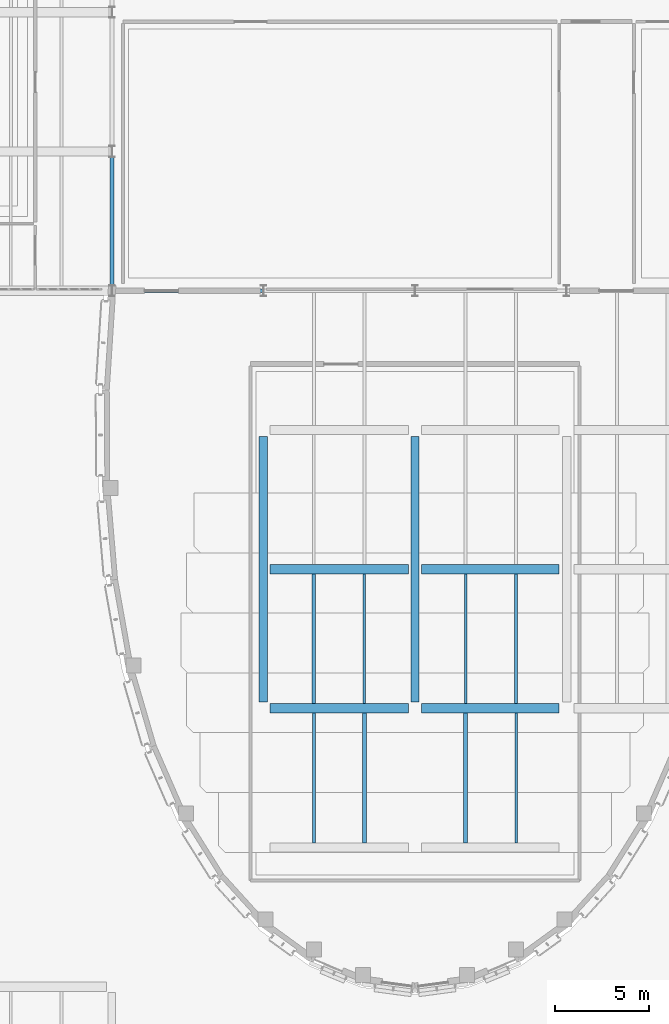
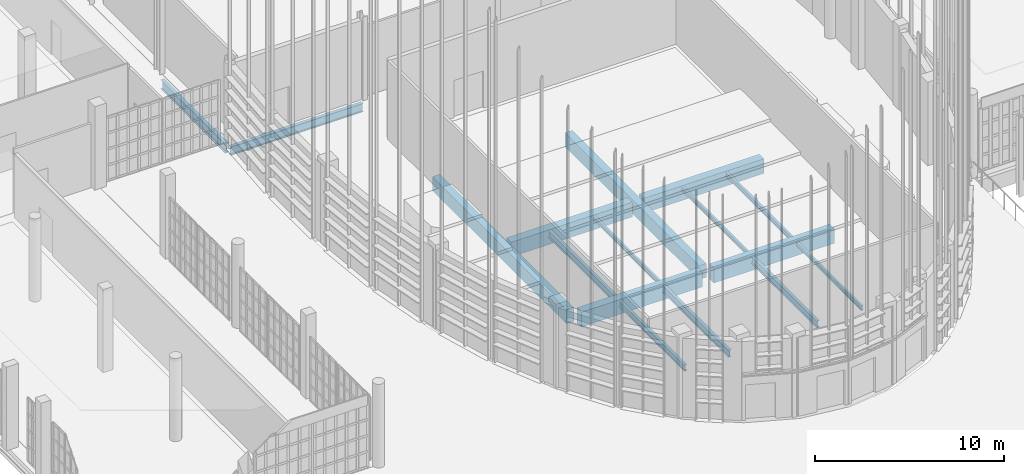
# One storey, part 100 of 372: 16 beams.
"""IFC4 building model written with IfcOpenShell, lengths in metres."""

from ifc_helpers import new_model, si_unit, direction, frame, origin, origin_2d, place, context, subcontext, project, spatial, rectangle, i_section, extrude, material, material_profile, profile_set, type_object, element, save


model = new_model("IFC4")

# Units and contexts
model_context = context("Model", 3, precision=1e-05, world=origin(), true_north=direction((0.0, 1.0)))
body_context = subcontext(model_context, "Body", "Model", "MODEL_VIEW")
ifc_project = project(units=[si_unit("LENGTHUNIT", "METRE"), si_unit("AREAUNIT", "SQUARE_METRE"), si_unit("VOLUMEUNIT", "CUBIC_METRE"), si_unit("PLANEANGLEUNIT", "RADIAN"), si_unit("MASSUNIT", "GRAM", prefix="KILO")], contexts=[model_context])

# Site, building, storey
site_placement = place(None, origin())
site = spatial("IfcSite", under=ifc_project, at=site_placement, CompositionType="ELEMENT")
building_placement = place(site_placement, origin())
building = spatial("IfcBuilding", under=site, at=building_placement, Name="Kaelora Sail Theatre", CompositionType="ELEMENT")
storey_placement = place(building_placement, origin())
storey = spatial("IfcBuildingStorey", under=building, at=storey_placement, Name="L00", CompositionType="ELEMENT", Elevation=0.0)

# Beams
ifc_material_1 = material(Name="Steel S355", Category="steel")
ifc_material_profile_1 = material_profile(ifc_material_1, i_section(OverallWidth=0.18994140625, OverallDepth=0.449951171875, WebThickness=0.009521484375, FlangeThickness=0.0146484375, FilletRadius=0.02099609375, at=origin_2d()), Name="IPE 450")
ifc_profile_set_1 = profile_set([ifc_material_profile_1], Name="Steel S355")
beam_type_1 = type_object("IfcBeamType", Name="STR-BM-BM-IPE450", PredefinedType="BEAM", material=ifc_profile_set_1)
for number, where, z_axis, x_axis, name in (
    (1, (39.300048828125, 31.510009765625, -0.544921875), (0.0, 1.0, 0.0), (-1.0, 0.0, 0.0), "Secondary floor joist 5/E-2 (L00)"),
    (2, (36.60009765625, 38.949951171875, -0.544921875), (0.0, 1.0, 0.0), (-1.0, 0.0, 0.0), "Secondary floor joist 5/F-1 (L00)"),
    (3, (44.699951171875, 31.510009765625, -0.544921875), (0.0, 1.0, 0.0), (-1.0, 0.0, 0.0), "Secondary floor joist 6/E-1 (L00)"),
):
    element("IfcBeam", number, at=place(storey_placement, frame(where, z_axis=z_axis, x_axis=x_axis)), inside=storey, type_object=beam_type_1, Name=name, PredefinedType="BEAM", context=body_context, shape_type="SweptSolid", body=[
        extrude(i_section(OverallWidth=0.18994140625, OverallDepth=0.449951171875, WebThickness=0.009521484375, FlangeThickness=0.0146484375, FilletRadius=0.02099609375, at=origin_2d()), origin(), (0.0, 0.0, 1.0), 6.93994140625),
    ])
ifc_material_2 = material(Name="Steel S355", Category="steel")
ifc_material_profile_2 = material_profile(ifc_material_2, i_section(OverallWidth=0.2099609375, OverallDepth=0.550048828125, WebThickness=0.010986328125, FlangeThickness=0.01708984375, FilletRadius=0.02392578125, at=origin_2d()), Name="IPE 550")
ifc_profile_set_2 = profile_set([ifc_material_profile_2], Name="Steel S355")
beam_type_2 = type_object("IfcBeamType", Name="STR-BM-BM-IPE550", PredefinedType="USERDEFINED", material=ifc_profile_set_2)
beam_1_placement = place(storey_placement, frame((25.80908203125, 61.02001953125, -0.594970703125), z_axis=(1.0, 0.0, 0.0), x_axis=(0.0, 1.0, 0.0)))
element("IfcBeam", 4, at=beam_1_placement, inside=storey, type_object=beam_type_2, Name="Primary beam I 4-5 (L00)", ObjectType="GIRDER", PredefinedType="USERDEFINED", context=body_context, shape_type="SweptSolid", body=[
    extrude(i_section(OverallWidth=0.2099609375, OverallDepth=0.550048828125, WebThickness=0.010986328125, FlangeThickness=0.01708984375, FilletRadius=0.02392578125, at=origin_2d()), origin(), (0.0, 0.0, 1.0), 8.08203125),
])
ifc_material_3 = material(Name="Steel S355", Category="steel")
ifc_material_profile_3 = material_profile(ifc_material_3, i_section(OverallWidth=0.219970703125, OverallDepth=0.60009765625, WebThickness=0.011962890625, FlangeThickness=0.01904296875, FilletRadius=0.02392578125, at=origin_2d()), Name="IPE 600")
ifc_profile_set_3 = profile_set([ifc_material_profile_3], Name="Steel S355")
beam_type_3 = type_object("IfcBeamType", Name="STR-BM-BM-IPE600", PredefinedType="USERDEFINED", material=ifc_profile_set_3)
beam_2_placement = place(storey_placement, frame((25.800048828125, 61.320068359375, -0.6201171875), z_axis=(0.0, 1.0, 0.0), x_axis=(-1.0, 0.0, 0.0)))
element("IfcBeam", 5, at=beam_2_placement, inside=storey, type_object=beam_type_3, Name="Primary beam 4 I-J (L00)", ObjectType="GIRDER", PredefinedType="USERDEFINED", context=body_context, shape_type="SweptSolid", body=[
    extrude(i_section(OverallWidth=0.219970703125, OverallDepth=0.60009765625, WebThickness=0.011962890625, FlangeThickness=0.01904296875, FilletRadius=0.02392578125, at=origin_2d()), origin(), (0.0, 0.0, 1.0), 6.83984375),
])
ifc_material_4 = material(Name="Concrete C45/55", Category="concrete")
ifc_material_profile_4 = material_profile(ifc_material_4, rectangle(XDim=0.5, YDim=0.949951171875, at=origin_2d()), Name="RC-GRD 500x950")
ifc_profile_set_4 = profile_set([ifc_material_profile_4], Name="Concrete C45/55")
beam_type_4 = type_object("IfcBeamType", Name="STR-BM-GR-RC5095", PredefinedType="T_BEAM", material=ifc_profile_set_4)
for number, where, z_axis, x_axis, name in (
    (6, (34.25, 38.699951171875, -0.794921875), (1.0, 0.0, 0.0), (0.0, 1.0, 0.0), "Primary beam F 5-6 (L00)"),
    (7, (34.25, 46.139892578125, -0.794921875), (1.0, 0.0, 0.0), (0.0, 1.0, 0.0), "Primary beam G 5-6 (L00)"),
):
    element("IfcBeam", number, at=place(storey_placement, frame(where, z_axis=z_axis, x_axis=x_axis)), inside=storey, type_object=beam_type_4, Name=name, PredefinedType="T_BEAM", context=body_context, shape_type="SweptSolid", body=[
        extrude(rectangle(XDim=0.5, YDim=0.949951171875, at=origin_2d()), origin(), (0.0, 0.0, 1.0), 7.39990234375),
    ])
for number, where, z_axis, x_axis, name in (
    (8, (42.35009765625, 38.699951171875, -0.794921875), (1.0, 0.0, 0.0), (0.0, 1.0, 0.0), "Primary beam F 6-7 (L00)"),
    (9, (42.35009765625, 46.139892578125, -0.794921875), (1.0, 0.0, 0.0), (0.0, 1.0, 0.0), "Primary beam G 6-7 (L00)"),
):
    element("IfcBeam", number, at=place(storey_placement, frame(where, z_axis=z_axis, x_axis=x_axis)), inside=storey, type_object=beam_type_4, Name=name, PredefinedType="T_BEAM", context=body_context, shape_type="SweptSolid", body=[
        extrude(rectangle(XDim=0.5, YDim=0.949951171875, at=origin_2d()), origin(), (0.0, 0.0, 1.0), 7.349853515625),
    ])
ifc_material_5 = material(Name="Steel S355", Category="steel")
ifc_material_profile_5 = material_profile(ifc_material_5, i_section(OverallWidth=0.135009765625, OverallDepth=0.27001953125, WebThickness=0.006591796875, FlangeThickness=0.01025390625, FilletRadius=0.014892578125, at=origin_2d()), Name="IPE 270")
ifc_profile_set_5 = profile_set([ifc_material_profile_5], Name="Steel S355")
beam_type_5 = type_object("IfcBeamType", Name="STR-BM-JS-IPE270", PredefinedType="JOIST", material=ifc_profile_set_5)
for number, where, z_axis, x_axis, name in (
    (10, (39.300048828125, 38.949951171875, -0.455078125), (0.0, 1.0, 0.0), (-1.0, 0.0, 0.0), "Secondary floor joist 5/F-2 (L00)"),
    (11, (47.39990234375, 31.510009765625, -0.455078125), (0.0, 1.0, 0.0), (-1.0, 0.0, 0.0), "Secondary floor joist 6/E-2 (L00)"),
    (12, (44.699951171875, 38.949951171875, -0.455078125), (0.0, 1.0, 0.0), (-1.0, 0.0, 0.0), "Secondary floor joist 6/F-1 (L00)"),
):
    element("IfcBeam", number, at=place(storey_placement, frame(where, z_axis=z_axis, x_axis=x_axis)), inside=storey, type_object=beam_type_5, Name=name, PredefinedType="JOIST", context=body_context, shape_type="SweptSolid", body=[
        extrude(i_section(OverallWidth=0.135009765625, OverallDepth=0.27001953125, WebThickness=0.006591796875, FlangeThickness=0.01025390625, FilletRadius=0.014892578125, at=origin_2d()), origin(), (0.0, 0.0, 1.0), 6.93994140625),
    ])
ifc_material_6 = material(Name="Steel S355", Category="steel")
ifc_material_profile_6 = material_profile(ifc_material_6, i_section(OverallWidth=0.14990234375, OverallDepth=0.300048828125, WebThickness=0.007080078125, FlangeThickness=0.0107421875, FilletRadius=0.014892578125, at=origin_2d()), Name="IPE 300")
ifc_profile_set_6 = profile_set([ifc_material_profile_6], Name="Steel S355")
beam_type_6 = type_object("IfcBeamType", Name="STR-BM-JS-IPE300", PredefinedType="JOIST", material=ifc_profile_set_6)
beam_3_placement = place(storey_placement, frame((47.39990234375, 38.949951171875, -0.469970703125), z_axis=(0.0, 1.0, 0.0), x_axis=(-1.0, 0.0, 0.0)))
element("IfcBeam", 13, at=beam_3_placement, inside=storey, type_object=beam_type_6, Name="Secondary floor joist 6/F-2 (L00)", PredefinedType="JOIST", context=body_context, shape_type="SweptSolid", body=[
    extrude(i_section(OverallWidth=0.14990234375, OverallDepth=0.300048828125, WebThickness=0.007080078125, FlangeThickness=0.0107421875, FilletRadius=0.014892578125, at=origin_2d()), origin(), (0.0, 0.0, 1.0), 6.93994140625),
])
ifc_material_7 = material(Name="Steel S355", Category="steel")
ifc_material_profile_7 = material_profile(ifc_material_7, i_section(OverallWidth=0.179931640625, OverallDepth=0.39990234375, WebThickness=0.008544921875, FlangeThickness=0.013427734375, FilletRadius=0.02099609375, at=origin_2d()), Name="IPE 400")
ifc_profile_set_7 = profile_set([ifc_material_profile_7], Name="Steel S355")
beam_type_7 = type_object("IfcBeamType", Name="STR-BM-JS-IPE400", PredefinedType="JOIST", material=ifc_profile_set_7)
beam_4_placement = place(storey_placement, frame((36.60009765625, 31.510009765625, -0.52001953125), z_axis=(0.0, 1.0, 0.0), x_axis=(-1.0, 0.0, 0.0)))
element("IfcBeam", 14, at=beam_4_placement, inside=storey, type_object=beam_type_7, Name="Secondary floor joist 5/E-1 (L00)", PredefinedType="JOIST", context=body_context, shape_type="SweptSolid", body=[
    extrude(i_section(OverallWidth=0.179931640625, OverallDepth=0.39990234375, WebThickness=0.008544921875, FlangeThickness=0.013427734375, FilletRadius=0.02099609375, at=origin_2d()), origin(), (0.0, 0.0, 1.0), 6.93994140625),
])
ifc_material_8 = material(Name="Concrete C45/55", Category="concrete")
ifc_material_profile_8 = material_profile(ifc_material_8, rectangle(XDim=0.449951171875, YDim=0.89990234375, at=origin_2d()), Name="RC-RAK 450x900")
ifc_profile_set_8 = profile_set([ifc_material_profile_8], Name="Concrete C45/55")
beam_type_8 = type_object("IfcBeamType", Name="STR-BM-RK-RC4590", PredefinedType="BEAM", material=ifc_profile_set_8)
for number, where, z_axis, x_axis, name in (
    (15, (33.89990234375, 39.050048828125, -0.77001953125), (0.0, 1.0, 0.0), (-1.0, 0.0, 0.0), "Main auditorium understage spine raker 1"),
    (16, (42.0, 39.050048828125, -0.77001953125), (0.0, 1.0, 0.0), (-1.0, 0.0, 0.0), "Main auditorium understage spine raker 2"),
):
    element("IfcBeam", number, at=place(storey_placement, frame(where, z_axis=z_axis, x_axis=x_axis)), inside=storey, type_object=beam_type_8, Name=name, PredefinedType="BEAM", context=body_context, shape_type="SweptSolid", body=[
        extrude(rectangle(XDim=0.449951171875, YDim=0.89990234375, at=origin_2d()), origin(), (0.0, 0.0, 1.0), 14.179931640625),
    ])

save(model, "model.ifc")
